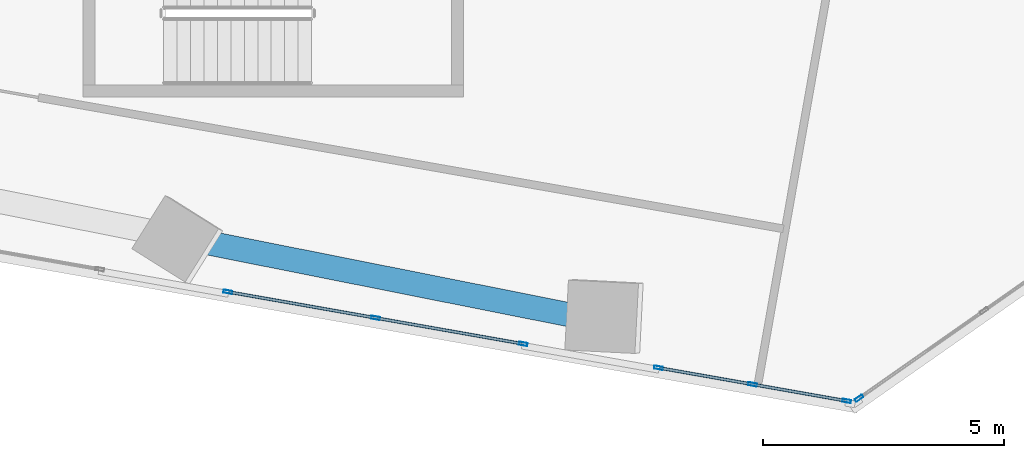
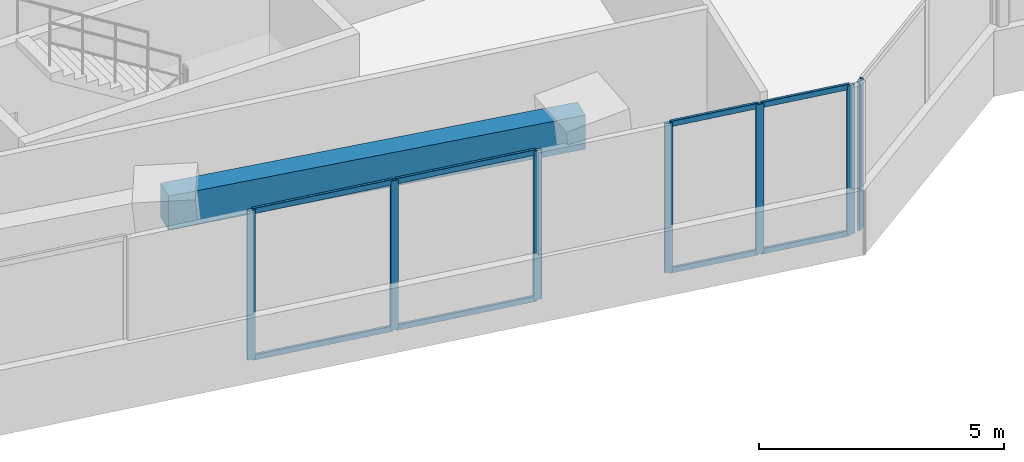
# One storey, part 4 of 24: 15 members, 1 beam, 3 elements without a shape of their own.
"""IFC4 building model written with IfcOpenShell, lengths in metres."""

from ifc_helpers import new_model, si_unit, direction, frame, origin, origin_2d, place, context, subcontext, project, spatial, rectangle, hollow_rectangle, extrude, source, transform, mapped, material, material_profile, profile_set, type_object, element, aggregate, save


model = new_model("IFC4")

# Units and contexts
model_context = context("Model", 3, precision=1e-05, world=origin(), true_north=direction((0.0, 1.0)))
body_context = subcontext(model_context, "Body", "Model", "MODEL_VIEW")
ifc_project = project(units=[si_unit("LENGTHUNIT", "METRE"), si_unit("AREAUNIT", "SQUARE_METRE"), si_unit("VOLUMEUNIT", "CUBIC_METRE"), si_unit("PLANEANGLEUNIT", "RADIAN"), si_unit("MASSUNIT", "GRAM", prefix="KILO")], contexts=[model_context])

# Site, building, storey
site_placement = place(None, origin())
site = spatial("IfcSite", under=ifc_project, at=site_placement, CompositionType="ELEMENT")
building_placement = place(site_placement, origin())
building = spatial("IfcBuilding", under=site, at=building_placement, Name="Torre Montelarca", CompositionType="ELEMENT")
storey_placement = place(building_placement, frame((0.0, 0.0, 79.0)))
storey = spatial("IfcBuildingStorey", under=building, at=storey_placement, Name="L17", CompositionType="ELEMENT", Elevation=79.0)

# Beam
ifc_material_1 = material(Name="Concrete C55/67", Category="concrete")
ifc_material_profile_1 = material_profile(ifc_material_1, rectangle(XDim=0.5, YDim=0.85009765625, at=origin_2d()), Name="RCB500X850", Category="concrete")
ifc_profile_set_1 = profile_set([ifc_material_profile_1], Name="Concrete C55/67")
beam_type = type_object("IfcBeamType", Name="BM-SP-RC850-EXT", PredefinedType="SPANDREL", material=ifc_profile_set_1)
shared_shape_1 = source(origin(), body_context, "Body", "SweptSolid", [
    extrude(rectangle(XDim=0.5, YDim=0.85009765625, at=origin_2d()), origin(), (0.0, 0.0, 1.0), 9.0),
])
beam_placement = place(storey_placement, frame((14.711669921875, 15.813232421875, 3.534912109375), z_axis=(0.980789824664, -0.195067475085, 0.0), x_axis=(0.195067475085, 0.980789824664, 0.0)))
element("IfcBeam", 1, at=beam_placement, inside=storey, type_object=beam_type, Name="L17 Grid Girder X 18.0-27.0 at Y=14.8", PredefinedType="SPANDREL", context=body_context, shape_type="MappedRepresentation", body=[
    mapped(shared_shape_1, transform((0.0, 0.0, 0.0), scale=1.0)),
])

# Curtain wall, members
ifc_material_2 = material(Name="Insulated low-E laminated glass", Category="glass")
curtain_wall_type = type_object("IfcCurtainWallType", Name="CW-SYS-Z1", PredefinedType="USERDEFINED", material=ifc_material_2)
curtain_wall_1_placement = place(storey_placement, origin())
curtain_wall_1 = element("IfcCurtainWall", 2, at=curtain_wall_1_placement, inside=storey, type_object=curtain_wall_type, Name="L17 Curtain Wall Run CW-T3-L17-E01-B3", ObjectType="UNITISED GLAZING", PredefinedType="USERDEFINED")
ifc_material_3 = material(Name="Anodised aluminium AA 6063-T6", Category="aluminium")
ifc_material_profile_2 = material_profile(ifc_material_3, hollow_rectangle(XDim=0.06494140625, YDim=0.139892578125, WallThickness=0.00390625, InnerFilletRadius=0.00390625, OuterFilletRadius=0.008056640625, at=origin_2d()), Name="ALU65X140X4", Category="aluminium")
ifc_profile_set_2 = profile_set([ifc_material_profile_2], Name="Anodised aluminium AA 6063-T6")
member_type_1 = type_object("IfcMemberType", Name="CWT-ALU140", PredefinedType="USERDEFINED", material=ifc_profile_set_2)
shared_shape_2 = source(origin(), body_context, "Body", "SweptSolid", [
    extrude(hollow_rectangle(XDim=0.06494140625, YDim=0.139892578125, WallThickness=0.00390625, InnerFilletRadius=0.00390625, OuterFilletRadius=0.008056640625, at=origin_2d()), origin(), (0.0, 0.0, 1.0), 1.9169921875),
])
member_1_placement = place(storey_placement, frame((25.029296875, 13.02880859375, 0.032470703125), z_axis=(0.984819435921, -0.17358190756, 0.0), x_axis=(0.17358190756, 0.984819435921, 0.0)))
member_1 = element("IfcMember", 3, at=member_1_placement, type_object=member_type_1, Name="CW transom 1.1", ObjectType="TRANSOM", PredefinedType="USERDEFINED", context=body_context, shape_type="MappedRepresentation", body=[
    mapped(shared_shape_2, transform((0.0, 0.0, 0.0), scale=1.0)),
])
member_2_placement = place(storey_placement, frame((25.029296875, 13.02880859375, 3.6875), z_axis=(0.984819435921, -0.17358190756, 0.0), x_axis=(0.17358190756, 0.984819435921, 0.0)))
member_2 = element("IfcMember", 4, at=member_2_placement, type_object=member_type_1, Name="CW transom 1.2", ObjectType="TRANSOM", PredefinedType="USERDEFINED", context=body_context, shape_type="MappedRepresentation", body=[
    mapped(shared_shape_2, transform((0.0, 0.0, 0.0), scale=1.0)),
])
member_3_placement = place(storey_placement, frame((26.981201171875, 12.684814453125, 0.032470703125), z_axis=(0.984797658094, -0.173705419066, 0.0), x_axis=(0.173705419066, 0.984797658094, 0.0)))
member_3 = element("IfcMember", 5, at=member_3_placement, type_object=member_type_1, Name="CW transom 2.1", ObjectType="TRANSOM", PredefinedType="USERDEFINED", context=body_context, shape_type="MappedRepresentation", body=[
    mapped(shared_shape_2, transform((0.0, 0.0, 0.0), scale=1.0)),
])
member_4_placement = place(storey_placement, frame((26.981201171875, 12.684814453125, 3.6875), z_axis=(0.984797658094, -0.173705419066, 0.0), x_axis=(0.173705419066, 0.984797658094, 0.0)))
member_4 = element("IfcMember", 6, at=member_4_placement, type_object=member_type_1, Name="CW transom 2.2", ObjectType="TRANSOM", PredefinedType="USERDEFINED", context=body_context, shape_type="MappedRepresentation", body=[
    mapped(shared_shape_2, transform((0.0, 0.0, 0.0), scale=1.0)),
])

curtain_wall_2_placement = place(storey_placement, origin())
curtain_wall_2 = element("IfcCurtainWall", 7, at=curtain_wall_2_placement, inside=storey, type_object=curtain_wall_type, Name="L17 Curtain Wall Run CW-T3-L17-E01-B2", ObjectType="UNITISED GLAZING", PredefinedType="USERDEFINED")
shared_shape_3 = source(origin(), body_context, "Body", "SweptSolid", [
    extrude(hollow_rectangle(XDim=0.06494140625, YDim=0.139892578125, WallThickness=0.00390625, InnerFilletRadius=0.00390625, OuterFilletRadius=0.008056640625, at=origin_2d()), origin(), (0.0, 0.0, 1.0), 3.046875),
])
member_5_placement = place(storey_placement, frame((16.09228515625, 14.604736328125, 0.032470703125), z_axis=(0.984808555911, -0.173643624138, 0.0), x_axis=(0.173643624138, 0.984808555911, 0.0)))
member_5 = element("IfcMember", 8, at=member_5_placement, type_object=member_type_1, Name="CW transom 1.1", ObjectType="TRANSOM", PredefinedType="USERDEFINED", context=body_context, shape_type="MappedRepresentation", body=[
    mapped(shared_shape_3, transform((0.0, 0.0, 0.0), scale=1.0)),
])
member_6_placement = place(storey_placement, frame((16.09228515625, 14.604736328125, 3.6875), z_axis=(0.984808555911, -0.173643624138, 0.0), x_axis=(0.173643624138, 0.984808555911, 0.0)))
member_6 = element("IfcMember", 9, at=member_6_placement, type_object=member_type_1, Name="CW transom 1.2", ObjectType="TRANSOM", PredefinedType="USERDEFINED", context=body_context, shape_type="MappedRepresentation", body=[
    mapped(shared_shape_3, transform((0.0, 0.0, 0.0), scale=1.0)),
])
member_7_placement = place(storey_placement, frame((19.15673828125, 14.064453125, 0.032470703125), z_axis=(0.984808555911, -0.173643624138, 0.0), x_axis=(0.173643624138, 0.984808555911, 0.0)))
member_7 = element("IfcMember", 10, at=member_7_placement, type_object=member_type_1, Name="CW transom 2.1", ObjectType="TRANSOM", PredefinedType="USERDEFINED", context=body_context, shape_type="MappedRepresentation", body=[
    mapped(shared_shape_3, transform((0.0, 0.0, 0.0), scale=1.0)),
])
member_8_placement = place(storey_placement, frame((19.15673828125, 14.064453125, 3.6875), z_axis=(0.984808555911, -0.173643624138, 0.0), x_axis=(0.173643624138, 0.984808555911, 0.0)))
member_8 = element("IfcMember", 11, at=member_8_placement, type_object=member_type_1, Name="CW transom 2.2", ObjectType="TRANSOM", PredefinedType="USERDEFINED", context=body_context, shape_type="MappedRepresentation", body=[
    mapped(shared_shape_3, transform((0.0, 0.0, 0.0), scale=1.0)),
])
ifc_material_profile_3 = material_profile(ifc_material_3, hollow_rectangle(XDim=0.06494140625, YDim=0.179931640625, WallThickness=0.00390625, InnerFilletRadius=0.00390625, OuterFilletRadius=0.008056640625, at=origin_2d()), Name="ALU65X180X4", Category="aluminium")
ifc_profile_set_3 = profile_set([ifc_material_profile_3], Name="Anodised aluminium AA 6063-T6")
member_type_2 = type_object("IfcMemberType", Name="CWM-ALU180", PredefinedType="MULLION", material=ifc_profile_set_3)
shared_shape_4 = source(origin(), body_context, "Body", "SweptSolid", [
    extrude(hollow_rectangle(XDim=0.06494140625, YDim=0.179931640625, WallThickness=0.00390625, InnerFilletRadius=0.00390625, OuterFilletRadius=0.008056640625, at=origin_2d()), origin(), (0.0, 0.0, 1.0), 3.719970703125),
])
member_9_placement = place(storey_placement, frame((16.060302734375, 14.6103515625, 0.0), z_axis=(0.0, 0.0, 1.0), x_axis=(0.173649258543, 0.984807562424, 0.0)))
member_9 = element("IfcMember", 12, at=member_9_placement, type_object=member_type_2, Name="CW mullion 1", PredefinedType="MULLION", context=body_context, shape_type="MappedRepresentation", body=[
    mapped(shared_shape_4, transform((0.0, 0.0, 0.0), scale=1.0)),
])
member_10_placement = place(storey_placement, frame((19.124755859375, 14.070068359375, 0.0), z_axis=(0.0, 0.0, 1.0), x_axis=(0.173649258543, 0.984807562424, 0.0)))
member_10 = element("IfcMember", 13, at=member_10_placement, type_object=member_type_2, Name="CW mullion 2", PredefinedType="MULLION", context=body_context, shape_type="MappedRepresentation", body=[
    mapped(shared_shape_4, transform((0.0, 0.0, 0.0), scale=1.0)),
])
member_11_placement = place(storey_placement, frame((22.189208984375, 13.52978515625, 0.0), z_axis=(0.0, 0.0, 1.0), x_axis=(0.173649258543, 0.984807562424, 0.0)))
member_11 = element("IfcMember", 14, at=member_11_placement, type_object=member_type_2, Name="CW mullion 3", PredefinedType="MULLION", context=body_context, shape_type="MappedRepresentation", body=[
    mapped(shared_shape_4, transform((0.0, 0.0, 0.0), scale=1.0)),
])
aggregate(curtain_wall_2, [member_9, member_10, member_11, member_5, member_6, member_7, member_8])

# Member
member_12_placement = place(storey_placement, frame((24.997314453125, 13.03466796875, 0.0), z_axis=(0.0, 0.0, 1.0), x_axis=(0.173636665264, 0.98480978289, 0.0)))
member_12 = element("IfcMember", 15, at=member_12_placement, type_object=member_type_2, Name="CW mullion 1", PredefinedType="MULLION", context=body_context, shape_type="MappedRepresentation", body=[
    mapped(shared_shape_4, transform((0.0, 0.0, 0.0), scale=1.0)),
])

member_13_placement = place(storey_placement, frame((26.94921875, 12.6904296875, 0.0), z_axis=(0.0, 0.0, 1.0), x_axis=(0.173636665264, 0.98480978289, 0.0)))
member_13 = element("IfcMember", 16, at=member_13_placement, type_object=member_type_2, Name="CW mullion 2", PredefinedType="MULLION", context=body_context, shape_type="MappedRepresentation", body=[
    mapped(shared_shape_4, transform((0.0, 0.0, 0.0), scale=1.0)),
])

member_14_placement = place(storey_placement, frame((28.901123046875, 12.34619140625, 0.0), z_axis=(0.0, 0.0, 1.0), x_axis=(0.173636665264, 0.98480978289, 0.0)))
member_14 = element("IfcMember", 17, at=member_14_placement, type_object=member_type_2, Name="CW mullion 3", PredefinedType="MULLION", context=body_context, shape_type="MappedRepresentation", body=[
    mapped(shared_shape_4, transform((0.0, 0.0, 0.0), scale=1.0)),
])

aggregate(curtain_wall_1, [member_12, member_13, member_14, member_1, member_2, member_3, member_4])

# Curtain wall, member
curtain_wall_3_placement = place(storey_placement, origin())
curtain_wall_3 = element("IfcCurtainWall", 18, at=curtain_wall_3_placement, inside=storey, type_object=curtain_wall_type, Name="L17 Curtain Wall Run CW-T3-L17-E02-B1", ObjectType="UNITISED GLAZING", PredefinedType="USERDEFINED")
member_15_placement = place(storey_placement, frame((29.161865234375, 12.404052734375, 0.0), z_axis=(0.0, 0.0, 1.0), x_axis=(-0.573560911072, 0.819162914987, 0.0)))
member_15 = element("IfcMember", 19, at=member_15_placement, type_object=member_type_2, Name="CW mullion 1", PredefinedType="MULLION", context=body_context, shape_type="MappedRepresentation", body=[
    mapped(shared_shape_4, transform((0.0, 0.0, 0.0), scale=1.0)),
])
aggregate(curtain_wall_3, [member_15])

save(model, "model.ifc")
